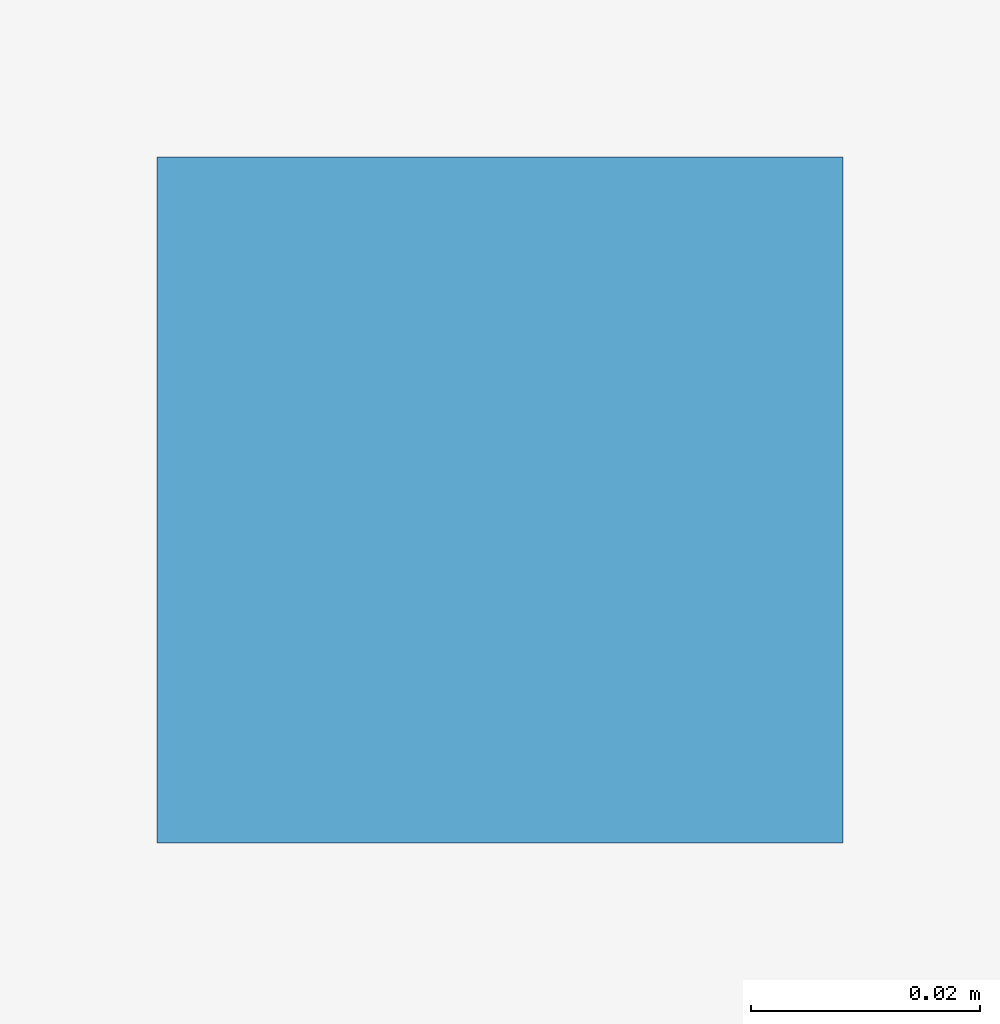
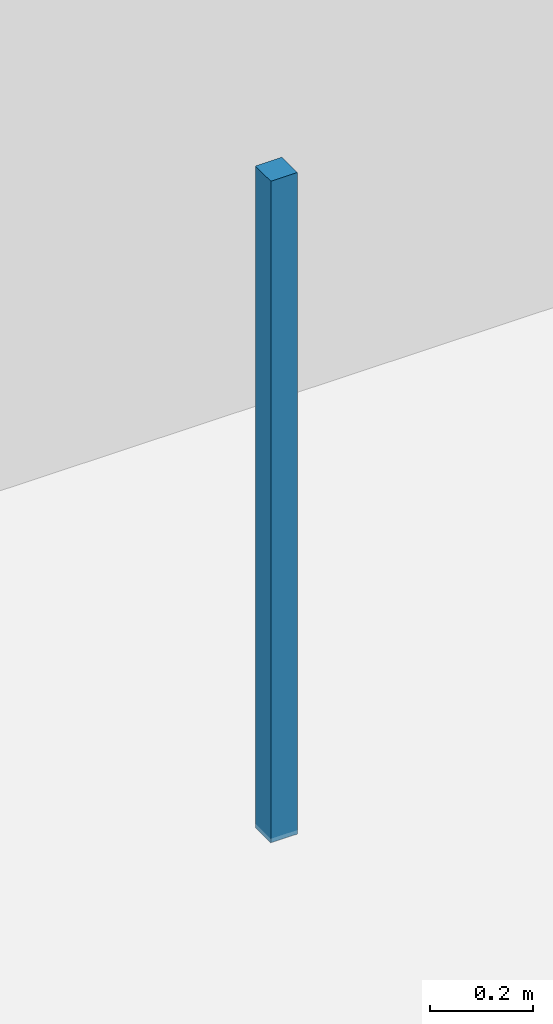
# One storey, part 96 of 105: 1 discrete accessory.
"""IFC4 building model written with IfcOpenShell, lengths in metres."""

from ifc_helpers import new_model, si_unit, direction, frame, origin, origin_2d, place, context, subcontext, project, spatial, rectangle, extrude, material, type_object, element, save


model = new_model("IFC4")

# Units and contexts
model_context = context("Model", 3, precision=1e-05, world=origin(), true_north=direction((0.0, 1.0)))
body_context = subcontext(model_context, "Body", "Model", "MODEL_VIEW")
ifc_project = project(units=[si_unit("LENGTHUNIT", "METRE"), si_unit("AREAUNIT", "SQUARE_METRE"), si_unit("VOLUMEUNIT", "CUBIC_METRE"), si_unit("PLANEANGLEUNIT", "RADIAN"), si_unit("MASSUNIT", "GRAM", prefix="KILO")], contexts=[model_context])

# Site, building, storey
site_placement = place(None, origin())
site = spatial("IfcSite", under=ifc_project, at=site_placement, CompositionType="ELEMENT")
building_placement = place(site_placement, origin())
building = spatial("IfcBuilding", under=site, at=building_placement, Name="Kaldorvane Square Convention Centre", CompositionType="ELEMENT")
storey_placement = place(building_placement, frame((0.0, 0.0, 6.0)))
storey = spatial("IfcBuildingStorey", under=building, at=storey_placement, Name="L01", CompositionType="ELEMENT", Elevation=6.0)

# Discrete accessory
ifc_material = material(Name="Architectural Painted Steel", Category="steel")
discrete_accessory_type = type_object("IfcDiscreteAccessoryType", Name="AC-HGR-060", PredefinedType="BRACKET", material=ifc_material)
discrete_accessory_placement = place(storey_placement, frame((60.5, 11.5, 4.114990234375), z_axis=(0.0, 0.0, 1.0), x_axis=(1.0, 0.0, 0.0)))
element("IfcDiscreteAccessory", 1, at=discrete_accessory_placement, inside=storey, type_object=discrete_accessory_type, Name="Ceiling Suspension Bracket 04 (L01)", PredefinedType="BRACKET", context=body_context, shape_type="SweptSolid", body=[
    extrude(rectangle(XDim=0.05999755859375, YDim=0.05999755859375, at=origin_2d()), origin(), (0.0, 0.0, 1.0), 1.5749969482421875),
])

save(model, "model.ifc")
